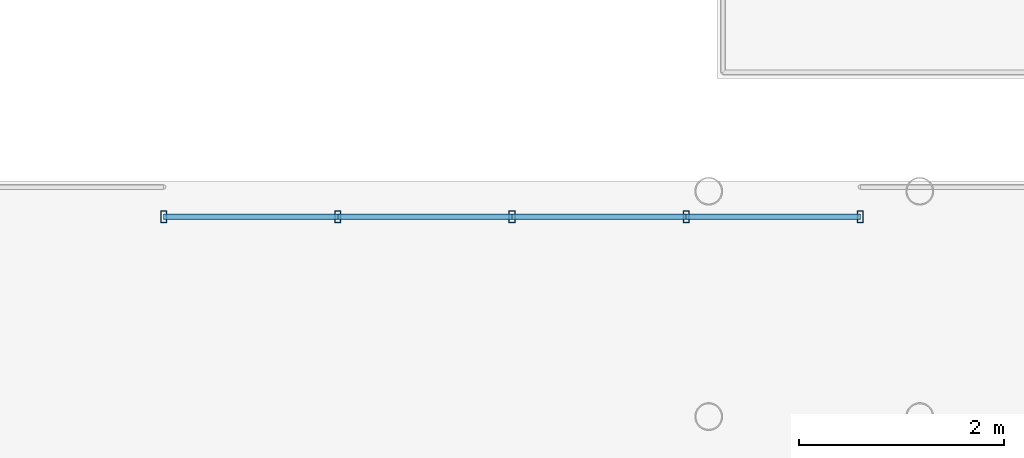
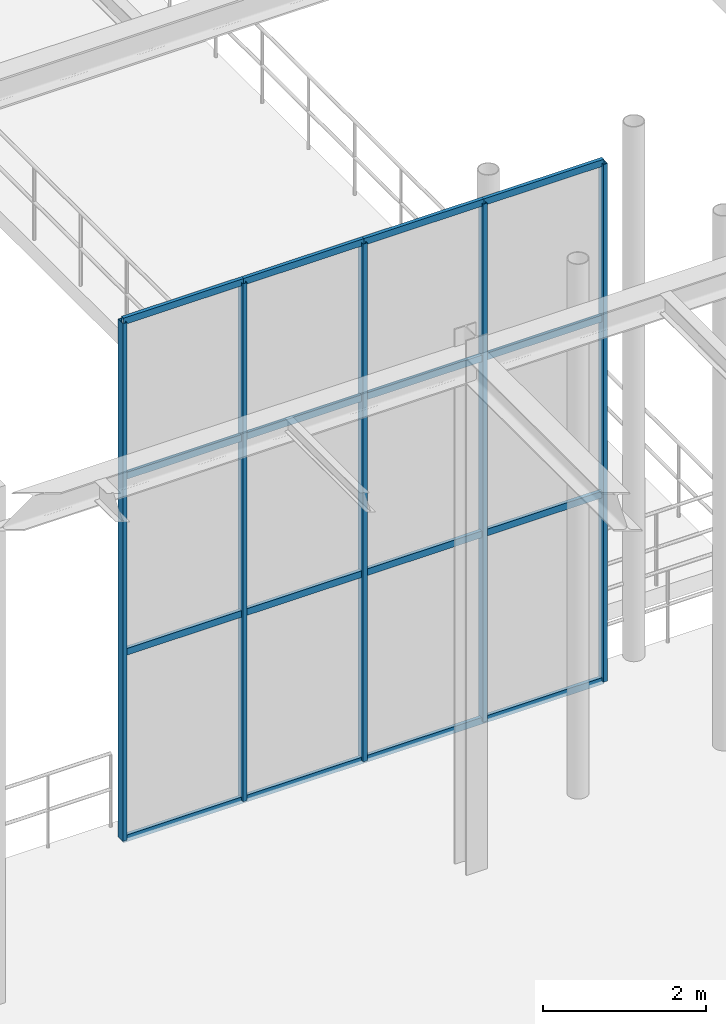
# One storey, part 39 of 138: 21 members, 1 element without a shape of its own.
"""IFC4 building model written with IfcOpenShell, lengths in metres."""

import ifcopenshell
import ifcopenshell.guid

model = None  # the IFC model being written
_history = None  # IfcOwnerHistory: only IFC2X3 demands one
_inside = {}  # id of a spatial element -> (the spatial element, [elements in it])
_under = {}  # id of a project, library or spatial element -> (it, [spatial elements below it])
_declared = {}  # id of a project -> (the project, [libraries it declares])
_typed = {}  # id of a type object -> (the type object, [elements of that type])
_made_of = {}  # id of a material, layer set ... -> (it, [elements and type objects made of it])


def new_model(schema):
    """Start an empty IFC model of exactly this schema.

    Asked for "IFC4X3", IfcOpenShell would pick the latest addendum, in which some entities
    have other attributes; the version numbers below select the first issue.
    IFC2X3 requires an IfcOwnerHistory on every rooted entity: one is made here for all.
    """
    global model, _history
    if schema == "IFC4X3":
        model = ifcopenshell.file(schema_version=(4, 3, 0, 0))
    else:
        model = ifcopenshell.file(schema=schema)
    _inside.clear()
    _under.clear()
    _declared.clear()
    _typed.clear()
    _made_of.clear()
    _history = None
    if model.schema == "IFC2X3":
        org = make("IfcOrganization", Name="unknown")
        user = make(
            "IfcPersonAndOrganization",
            ThePerson=make("IfcPerson", FamilyName="unknown"),
            TheOrganization=org,
        )
        app = make(
            "IfcApplication",
            ApplicationDeveloper=org,
            Version="unknown",
            ApplicationFullName="unknown",
            ApplicationIdentifier="unknown",
        )
        _history = make(
            "IfcOwnerHistory",
            OwningUser=user,
            OwningApplication=app,
            ChangeAction="ADDED",
            CreationDate=0,
        )
    return model


def make(cls, **values):
    """One entity of the class cls with the attributes given. An attribute that is None is left unset."""
    return model.create_entity(
        cls, **{name: value for name, value in values.items() if value is not None}
    )


def rooted(cls, **values):
    """An entity with a GlobalId (a new one), such as an element, a storey or a relation."""
    return make(cls, GlobalId=ifcopenshell.guid.new(), OwnerHistory=_history, **values)


def si_unit(unit_type, name, prefix=None):
    """IfcSIUnit, for example si_unit("LENGTHUNIT", "METRE", prefix="MILLI")."""
    return make("IfcSIUnit", UnitType=unit_type, Prefix=prefix, Name=name)


def assignment(units):
    """IfcUnitAssignment: the units of a project."""
    return None if units is None else make("IfcUnitAssignment", Units=units)


def point(xyz):
    """IfcCartesianPoint."""
    return None if xyz is None else make("IfcCartesianPoint", Coordinates=xyz)


def direction(xyz):
    """IfcDirection."""
    return None if xyz is None else make("IfcDirection", DirectionRatios=xyz)


def frame(location, z_axis=None, x_axis=None):
    """IfcAxis2Placement3D, a coordinate frame: its origin and axes. An axis left out is left unset."""
    return make(
        "IfcAxis2Placement3D",
        Location=point(location),
        Axis=direction(z_axis),
        RefDirection=direction(x_axis),
    )


def frame_2d(location, x_axis=None):
    """IfcAxis2Placement2D, a coordinate frame in the plane: its origin and x axis."""
    return make(
        "IfcAxis2Placement2D", Location=point(location), RefDirection=direction(x_axis)
    )


def origin():
    """The frame at (0, 0, 0) with its axes left unset."""
    return frame((0.0, 0.0, 0.0))


def origin_2d():
    """The frame at (0, 0) in the plane with its x axis left unset."""
    return frame_2d((0.0, 0.0))


def place(relative_to, where):
    """IfcLocalPlacement: puts the frame where relative to a parent placement (None: the world)."""
    return make(
        "IfcLocalPlacement", PlacementRelTo=relative_to, RelativePlacement=where
    )


def context(
    kind, dimensions, precision=None, world=None, true_north=None, identifier=None
):
    """IfcGeometricRepresentationContext, for example the 3D "Model" context."""
    return make(
        "IfcGeometricRepresentationContext",
        ContextIdentifier=identifier,
        ContextType=kind,
        CoordinateSpaceDimension=dimensions,
        Precision=precision,
        WorldCoordinateSystem=world,
        TrueNorth=true_north,
    )


def subcontext(parent, identifier, kind, view, scale=None):
    """IfcGeometricRepresentationSubContext, for example "Body" below "Model"."""
    return make(
        "IfcGeometricRepresentationSubContext",
        ContextIdentifier=identifier,
        ContextType=kind,
        ParentContext=parent,
        TargetScale=scale,
        TargetView=view,
    )


def project(units=None, contexts=None):
    """IfcProject with its units and contexts."""
    return rooted(
        "IfcProject",
        Name="project",
        RepresentationContexts=contexts,
        UnitsInContext=assignment(units),
    )


def spatial(cls, under=None, at=None, **own):
    """A site, building, storey or space (cls), placed at a placement, below another one or the project."""
    s = rooted(cls, ObjectPlacement=at, **own)
    if under is not None:
        _under.setdefault(under.id(), (under, []))[1].append(s)
    return s


def profile(cls, at=None, kind="AREA", **sizes):
    """A parametric profile (cls). Its sizes go by their IFC names, for example OverallWidth=200.0."""
    return make(cls, ProfileType=kind, Position=at, **sizes)


def hollow_rectangle(**sizes):
    """IfcRectangleHollowProfileDef."""
    return profile("IfcRectangleHollowProfileDef", **sizes)


def extrude(swept, where, along, depth):
    """IfcExtrudedAreaSolid: the profile swept, set in the frame where, extruded along a direction by depth."""
    return make(
        "IfcExtrudedAreaSolid",
        SweptArea=swept,
        Position=where,
        ExtrudedDirection=direction(along),
        Depth=depth,
    )


def shape(context_of_items, identifier, shape_type, items):
    """IfcShapeRepresentation: the items that make up one representation, for example the "Body"."""
    return make(
        "IfcShapeRepresentation",
        ContextOfItems=context_of_items,
        RepresentationIdentifier=identifier,
        RepresentationType=shape_type,
        Items=items,
    )


def material(Name=None, Category=None):
    """IfcMaterial."""
    return make("IfcMaterial", Name=Name, Category=Category)


def material_profile(
    of_material, cross_section, Name=None, Category=None, Priority=None
):
    """IfcMaterialProfile: a cross section and its material."""
    return make(
        "IfcMaterialProfile",
        Name=Name,
        Material=of_material,
        Profile=cross_section,
        Priority=Priority,
        Category=Category,
    )


def profile_set(profiles, Name=None, composite=None):
    """IfcMaterialProfileSet."""
    return make(
        "IfcMaterialProfileSet",
        Name=Name,
        MaterialProfiles=profiles,
        CompositeProfile=composite,
    )


def made_of(thing, what):
    """Note that an element or type object is made of a material, layer set ...; save() writes the relation."""
    if what is not None:
        _made_of.setdefault(what.id(), (what, []))[1].append(thing)
    return thing


def type_object(cls, material=None, **own):
    """A type object (cls), such as IfcWallType, which elements share."""
    return made_of(rooted(cls, **own), material)


def element(
    cls,
    number,
    at=None,
    inside=None,
    cuts=None,
    type_object=None,
    material=None,
    context=None,
    identifier="Body",
    shape_type=None,
    held_by="IfcProductDefinitionShape",
    body=None,
    shapes=None,
    **own,
):
    """One element of the class cls, such as IfcWall. Its Tag is "e" and its number.

    at: its placement. inside: the storey or other place that contains it. cuts: it is an
    opening in that element (IfcRelVoidsElement). A single representation is given by context,
    identifier, shape_type and body (its items); several are given by shapes. held_by: the class
    of the entity that holds the representations. save() writes the other relations.
    """
    e = rooted(cls, Tag="e%d" % number, ObjectPlacement=at, **own)
    if body is not None:
        shapes = [shape(context, identifier, shape_type, body)]
    if shapes is not None:
        e.Representation = make(held_by, Representations=shapes)
    if inside is not None:
        _inside.setdefault(inside.id(), (inside, []))[1].append(e)
    if cuts is not None:
        rooted(
            "IfcRelVoidsElement", RelatingBuildingElement=cuts, RelatedOpeningElement=e
        )
    if type_object is not None:
        _typed.setdefault(type_object.id(), (type_object, []))[1].append(e)
    return made_of(e, material)


def aggregate(whole, parts):
    """IfcRelAggregates: a whole, such as a stair, and the parts it consists of."""
    return rooted("IfcRelAggregates", RelatingObject=whole, RelatedObjects=parts)


def save(model, path):
    """Write the relations noted so far, then the file.

    IfcRelAggregates (storeys below a building ...), IfcRelContainedInSpatialStructure (elements
    in a storey), IfcRelDefinesByType, IfcRelAssociatesMaterial and IfcRelDeclares: one each for
    every whole, place, type object, material and project.
    """
    for whole, parts in _under.values():
        aggregate(whole, parts)
    for where, things in _inside.values():
        rooted(
            "IfcRelContainedInSpatialStructure",
            RelatedElements=things,
            RelatingStructure=where,
        )
    for kind, things in _typed.values():
        rooted("IfcRelDefinesByType", RelatedObjects=things, RelatingType=kind)
    for what, things in _made_of.values():
        rooted("IfcRelAssociatesMaterial", RelatedObjects=things, RelatingMaterial=what)
    for by, libraries in _declared.values():
        rooted("IfcRelDeclares", RelatingContext=by, RelatedDefinitions=libraries)
    model.write(path)


model = new_model("IFC4")

# Units and contexts
model_context = context("Model", 3, precision=1e-05, world=origin(), true_north=direction((0.0, 1.0)))
body_context = subcontext(model_context, "Body", "Model", "MODEL_VIEW")
ifc_project = project(units=[si_unit("LENGTHUNIT", "METRE"), si_unit("AREAUNIT", "SQUARE_METRE"), si_unit("VOLUMEUNIT", "CUBIC_METRE"), si_unit("PLANEANGLEUNIT", "RADIAN"), si_unit("MASSUNIT", "GRAM", prefix="KILO")], contexts=[model_context])

# Site, building, storey
site_placement = place(None, origin())
site = spatial("IfcSite", under=ifc_project, at=site_placement, CompositionType="ELEMENT")
building_placement = place(site_placement, origin())
building = spatial("IfcBuilding", under=site, at=building_placement, Name="Sundkrona Museum", CompositionType="ELEMENT")
storey_placement = place(building_placement, frame((0.0, 0.0, 9.60009765625)))
storey = spatial("IfcBuildingStorey", under=building, at=storey_placement, Name="L02", CompositionType="ELEMENT", Elevation=9.60009765625)

# Curtain wall, members
ifc_material_1 = material(Name="Unitised Aluminium-Steel and Ceramic-Clad Curtain Walling", Category="steel")
curtain_wall_type = type_object("IfcCurtainWallType", Name="CW-IN-68x70", PredefinedType="NOTDEFINED", material=ifc_material_1)
curtain_wall_placement = place(storey_placement, origin())
curtain_wall = element("IfcCurtainWall", 1, at=curtain_wall_placement, inside=storey, type_object=curtain_wall_type, Name="L02 Curtain Wall CW-L02-058", PredefinedType="NOTDEFINED")
ifc_material_2 = material(Name="Aluminium EN AW-6060 T66", Category="aluminium")
ifc_material_profile_1 = material_profile(ifc_material_2, hollow_rectangle(XDim=0.06005859375, YDim=0.1201171875, WallThickness=0.0048828125, at=origin_2d()), Name="RHS 120x60x5.0")
ifc_profile_set_1 = profile_set([ifc_material_profile_1], Name="Aluminium EN AW-6060 T66")
member_type_1 = type_object("IfcMemberType", Name="ML-120", PredefinedType="MULLION", material=ifc_profile_set_1)
member_1_placement = place(storey_placement, frame((92.60009765625, 10.64990234375, -0.004150390625), z_axis=(0.0, 0.0, 1.0), x_axis=(1.0, 0.0, 0.0)))
member_1 = element("IfcMember", 2, at=member_1_placement, type_object=member_type_1, Name="CW-L02-058 Mullion 01", PredefinedType="MULLION", context=body_context, shape_type="SweptSolid", body=[
    extrude(hollow_rectangle(XDim=0.06005859375, YDim=0.1201171875, WallThickness=0.0048828125, at=origin_2d()), origin(), (0.0, 0.0, 1.0), 7.748046875),
])
member_2_placement = place(storey_placement, frame((94.300048828125, 10.64990234375, -0.004150390625), z_axis=(0.0, 0.0, 1.0), x_axis=(1.0, 0.0, 0.0)))
member_2 = element("IfcMember", 3, at=member_2_placement, type_object=member_type_1, Name="CW-L02-058 Mullion 02", PredefinedType="MULLION", context=body_context, shape_type="SweptSolid", body=[
    extrude(hollow_rectangle(XDim=0.06005859375, YDim=0.1201171875, WallThickness=0.0048828125, at=origin_2d()), origin(), (0.0, 0.0, 1.0), 7.748046875),
])
member_3_placement = place(storey_placement, frame((96.0, 10.64990234375, -0.004150390625), z_axis=(0.0, 0.0, 1.0), x_axis=(1.0, 0.0, 0.0)))
member_3 = element("IfcMember", 4, at=member_3_placement, type_object=member_type_1, Name="CW-L02-058 Mullion 03", PredefinedType="MULLION", context=body_context, shape_type="SweptSolid", body=[
    extrude(hollow_rectangle(XDim=0.06005859375, YDim=0.1201171875, WallThickness=0.0048828125, at=origin_2d()), origin(), (0.0, 0.0, 1.0), 7.748046875),
])
member_4_placement = place(storey_placement, frame((97.699951171875, 10.64990234375, -0.004150390625), z_axis=(0.0, 0.0, 1.0), x_axis=(1.0, 0.0, 0.0)))
member_4 = element("IfcMember", 5, at=member_4_placement, type_object=member_type_1, Name="CW-L02-058 Mullion 04", PredefinedType="MULLION", context=body_context, shape_type="SweptSolid", body=[
    extrude(hollow_rectangle(XDim=0.06005859375, YDim=0.1201171875, WallThickness=0.0048828125, at=origin_2d()), origin(), (0.0, 0.0, 1.0), 7.748046875),
])
member_5_placement = place(storey_placement, frame((99.39990234375, 10.64990234375, -0.004150390625), z_axis=(0.0, 0.0, 1.0), x_axis=(1.0, 0.0, 0.0)))
member_5 = element("IfcMember", 6, at=member_5_placement, type_object=member_type_1, Name="CW-L02-058 Mullion 05", PredefinedType="MULLION", context=body_context, shape_type="SweptSolid", body=[
    extrude(hollow_rectangle(XDim=0.06005859375, YDim=0.1201171875, WallThickness=0.0048828125, at=origin_2d()), origin(), (0.0, 0.0, 1.0), 7.748046875),
])
ifc_material_profile_2 = material_profile(ifc_material_2, hollow_rectangle(XDim=0.050048828125, YDim=0.10009765625, WallThickness=0.0048828125, at=origin_2d()), Name="RHS 100x50x5.0")
ifc_profile_set_2 = profile_set([ifc_material_profile_2], Name="Aluminium EN AW-6060 T66")
member_type_2 = type_object("IfcMemberType", Name="TR-100", PredefinedType="USERDEFINED", material=ifc_profile_set_2)
member_6_placement = place(storey_placement, frame((92.60009765625, 10.64990234375, -0.004150390625), z_axis=(1.0, 0.0, 0.0), x_axis=(0.0, 1.0, 0.0)))
member_6 = element("IfcMember", 7, at=member_6_placement, type_object=member_type_2, Name="CW-L02-058 Transom 01", ObjectType="TRANSOM", PredefinedType="USERDEFINED", context=body_context, shape_type="SweptSolid", body=[
    extrude(hollow_rectangle(XDim=0.050048828125, YDim=0.10009765625, WallThickness=0.0048828125, at=origin_2d()), origin(), (0.0, 0.0, 1.0), 1.699951171875),
])
member_7_placement = place(storey_placement, frame((92.60009765625, 10.64990234375, 2.785888671875), z_axis=(1.0, 0.0, 0.0), x_axis=(0.0, 1.0, 0.0)))
member_7 = element("IfcMember", 8, at=member_7_placement, type_object=member_type_2, Name="CW-L02-058 Transom 02", ObjectType="TRANSOM", PredefinedType="USERDEFINED", context=body_context, shape_type="SweptSolid", body=[
    extrude(hollow_rectangle(XDim=0.050048828125, YDim=0.10009765625, WallThickness=0.0048828125, at=origin_2d()), origin(), (0.0, 0.0, 1.0), 1.699951171875),
])
member_8_placement = place(storey_placement, frame((92.60009765625, 10.64990234375, 5.41796875), z_axis=(1.0, 0.0, 0.0), x_axis=(0.0, 1.0, 0.0)))
member_8 = element("IfcMember", 9, at=member_8_placement, type_object=member_type_2, Name="CW-L02-058 Transom 03", ObjectType="TRANSOM", PredefinedType="USERDEFINED", context=body_context, shape_type="SweptSolid", body=[
    extrude(hollow_rectangle(XDim=0.050048828125, YDim=0.10009765625, WallThickness=0.0048828125, at=origin_2d()), origin(), (0.0, 0.0, 1.0), 1.699951171875),
])
member_9_placement = place(storey_placement, frame((92.60009765625, 10.64990234375, 7.743896484375), z_axis=(1.0, 0.0, 0.0), x_axis=(0.0, 1.0, 0.0)))
member_9 = element("IfcMember", 10, at=member_9_placement, type_object=member_type_2, Name="CW-L02-058 Transom 04", ObjectType="TRANSOM", PredefinedType="USERDEFINED", context=body_context, shape_type="SweptSolid", body=[
    extrude(hollow_rectangle(XDim=0.050048828125, YDim=0.10009765625, WallThickness=0.0048828125, at=origin_2d()), origin(), (0.0, 0.0, 1.0), 1.699951171875),
])
member_10_placement = place(storey_placement, frame((94.300048828125, 10.64990234375, -0.004150390625), z_axis=(1.0, 0.0, 0.0), x_axis=(0.0, 1.0, 0.0)))
member_10 = element("IfcMember", 11, at=member_10_placement, type_object=member_type_2, Name="CW-L02-058 Transom 05", ObjectType="TRANSOM", PredefinedType="USERDEFINED", context=body_context, shape_type="SweptSolid", body=[
    extrude(hollow_rectangle(XDim=0.050048828125, YDim=0.10009765625, WallThickness=0.0048828125, at=origin_2d()), origin(), (0.0, 0.0, 1.0), 1.699951171875),
])
member_11_placement = place(storey_placement, frame((94.300048828125, 10.64990234375, 2.785888671875), z_axis=(1.0, 0.0, 0.0), x_axis=(0.0, 1.0, 0.0)))
member_11 = element("IfcMember", 12, at=member_11_placement, type_object=member_type_2, Name="CW-L02-058 Transom 06", ObjectType="TRANSOM", PredefinedType="USERDEFINED", context=body_context, shape_type="SweptSolid", body=[
    extrude(hollow_rectangle(XDim=0.050048828125, YDim=0.10009765625, WallThickness=0.0048828125, at=origin_2d()), origin(), (0.0, 0.0, 1.0), 1.699951171875),
])
member_12_placement = place(storey_placement, frame((94.300048828125, 10.64990234375, 5.41796875), z_axis=(1.0, 0.0, 0.0), x_axis=(0.0, 1.0, 0.0)))
member_12 = element("IfcMember", 13, at=member_12_placement, type_object=member_type_2, Name="CW-L02-058 Transom 07", ObjectType="TRANSOM", PredefinedType="USERDEFINED", context=body_context, shape_type="SweptSolid", body=[
    extrude(hollow_rectangle(XDim=0.050048828125, YDim=0.10009765625, WallThickness=0.0048828125, at=origin_2d()), origin(), (0.0, 0.0, 1.0), 1.699951171875),
])
member_13_placement = place(storey_placement, frame((94.300048828125, 10.64990234375, 7.743896484375), z_axis=(1.0, 0.0, 0.0), x_axis=(0.0, 1.0, 0.0)))
member_13 = element("IfcMember", 14, at=member_13_placement, type_object=member_type_2, Name="CW-L02-058 Transom 08", ObjectType="TRANSOM", PredefinedType="USERDEFINED", context=body_context, shape_type="SweptSolid", body=[
    extrude(hollow_rectangle(XDim=0.050048828125, YDim=0.10009765625, WallThickness=0.0048828125, at=origin_2d()), origin(), (0.0, 0.0, 1.0), 1.699951171875),
])
member_14_placement = place(storey_placement, frame((96.0, 10.64990234375, -0.004150390625), z_axis=(1.0, 0.0, 0.0), x_axis=(0.0, 1.0, 0.0)))
member_14 = element("IfcMember", 15, at=member_14_placement, type_object=member_type_2, Name="CW-L02-058 Transom 09", ObjectType="TRANSOM", PredefinedType="USERDEFINED", context=body_context, shape_type="SweptSolid", body=[
    extrude(hollow_rectangle(XDim=0.050048828125, YDim=0.10009765625, WallThickness=0.0048828125, at=origin_2d()), origin(), (0.0, 0.0, 1.0), 1.699951171875),
])
member_15_placement = place(storey_placement, frame((96.0, 10.64990234375, 2.785888671875), z_axis=(1.0, 0.0, 0.0), x_axis=(0.0, 1.0, 0.0)))
member_15 = element("IfcMember", 16, at=member_15_placement, type_object=member_type_2, Name="CW-L02-058 Transom 10", ObjectType="TRANSOM", PredefinedType="USERDEFINED", context=body_context, shape_type="SweptSolid", body=[
    extrude(hollow_rectangle(XDim=0.050048828125, YDim=0.10009765625, WallThickness=0.0048828125, at=origin_2d()), origin(), (0.0, 0.0, 1.0), 1.699951171875),
])
member_16_placement = place(storey_placement, frame((96.0, 10.64990234375, 5.41796875), z_axis=(1.0, 0.0, 0.0), x_axis=(0.0, 1.0, 0.0)))
member_16 = element("IfcMember", 17, at=member_16_placement, type_object=member_type_2, Name="CW-L02-058 Transom 11", ObjectType="TRANSOM", PredefinedType="USERDEFINED", context=body_context, shape_type="SweptSolid", body=[
    extrude(hollow_rectangle(XDim=0.050048828125, YDim=0.10009765625, WallThickness=0.0048828125, at=origin_2d()), origin(), (0.0, 0.0, 1.0), 1.699951171875),
])
member_17_placement = place(storey_placement, frame((96.0, 10.64990234375, 7.743896484375), z_axis=(1.0, 0.0, 0.0), x_axis=(0.0, 1.0, 0.0)))
member_17 = element("IfcMember", 18, at=member_17_placement, type_object=member_type_2, Name="CW-L02-058 Transom 12", ObjectType="TRANSOM", PredefinedType="USERDEFINED", context=body_context, shape_type="SweptSolid", body=[
    extrude(hollow_rectangle(XDim=0.050048828125, YDim=0.10009765625, WallThickness=0.0048828125, at=origin_2d()), origin(), (0.0, 0.0, 1.0), 1.699951171875),
])
member_18_placement = place(storey_placement, frame((97.699951171875, 10.64990234375, -0.004150390625), z_axis=(1.0, 0.0, 0.0), x_axis=(0.0, 1.0, 0.0)))
member_18 = element("IfcMember", 19, at=member_18_placement, type_object=member_type_2, Name="CW-L02-058 Transom 13", ObjectType="TRANSOM", PredefinedType="USERDEFINED", context=body_context, shape_type="SweptSolid", body=[
    extrude(hollow_rectangle(XDim=0.050048828125, YDim=0.10009765625, WallThickness=0.0048828125, at=origin_2d()), origin(), (0.0, 0.0, 1.0), 1.699951171875),
])
member_19_placement = place(storey_placement, frame((97.699951171875, 10.64990234375, 2.785888671875), z_axis=(1.0, 0.0, 0.0), x_axis=(0.0, 1.0, 0.0)))
member_19 = element("IfcMember", 20, at=member_19_placement, type_object=member_type_2, Name="CW-L02-058 Transom 14", ObjectType="TRANSOM", PredefinedType="USERDEFINED", context=body_context, shape_type="SweptSolid", body=[
    extrude(hollow_rectangle(XDim=0.050048828125, YDim=0.10009765625, WallThickness=0.0048828125, at=origin_2d()), origin(), (0.0, 0.0, 1.0), 1.699951171875),
])
member_20_placement = place(storey_placement, frame((97.699951171875, 10.64990234375, 5.41796875), z_axis=(1.0, 0.0, 0.0), x_axis=(0.0, 1.0, 0.0)))
member_20 = element("IfcMember", 21, at=member_20_placement, type_object=member_type_2, Name="CW-L02-058 Transom 15", ObjectType="TRANSOM", PredefinedType="USERDEFINED", context=body_context, shape_type="SweptSolid", body=[
    extrude(hollow_rectangle(XDim=0.050048828125, YDim=0.10009765625, WallThickness=0.0048828125, at=origin_2d()), origin(), (0.0, 0.0, 1.0), 1.699951171875),
])
member_21_placement = place(storey_placement, frame((97.699951171875, 10.64990234375, 7.743896484375), z_axis=(1.0, 0.0, 0.0), x_axis=(0.0, 1.0, 0.0)))
member_21 = element("IfcMember", 22, at=member_21_placement, type_object=member_type_2, Name="CW-L02-058 Transom 16", ObjectType="TRANSOM", PredefinedType="USERDEFINED", context=body_context, shape_type="SweptSolid", body=[
    extrude(hollow_rectangle(XDim=0.050048828125, YDim=0.10009765625, WallThickness=0.0048828125, at=origin_2d()), origin(), (0.0, 0.0, 1.0), 1.699951171875),
])
aggregate(curtain_wall, [member_1, member_2, member_3, member_4, member_5, member_6, member_7, member_8, member_9, member_10, member_11, member_12, member_13, member_14, member_15, member_16, member_17, member_18, member_19, member_20, member_21])

save(model, "model.ifc")
